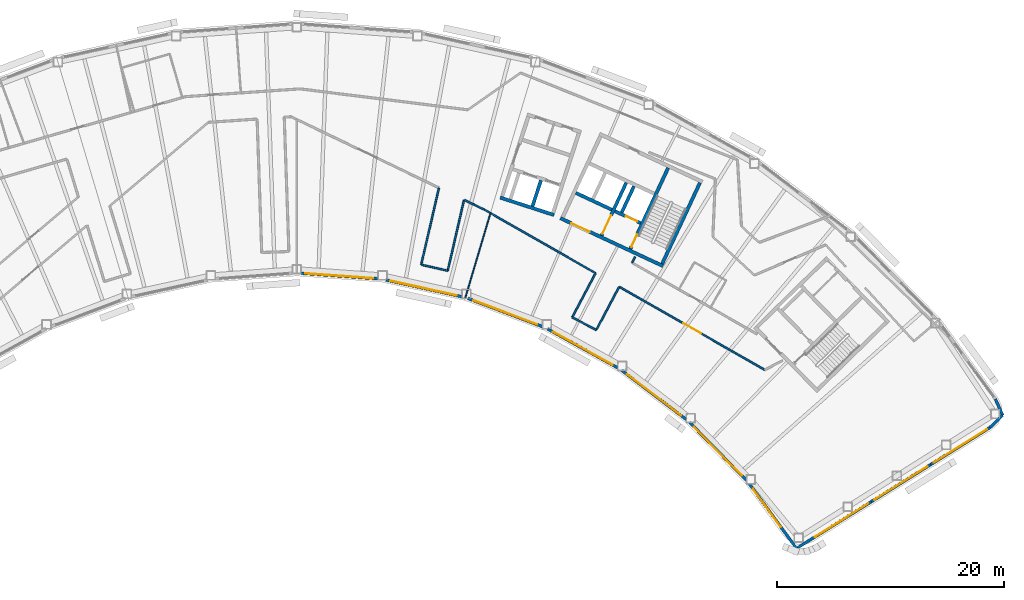
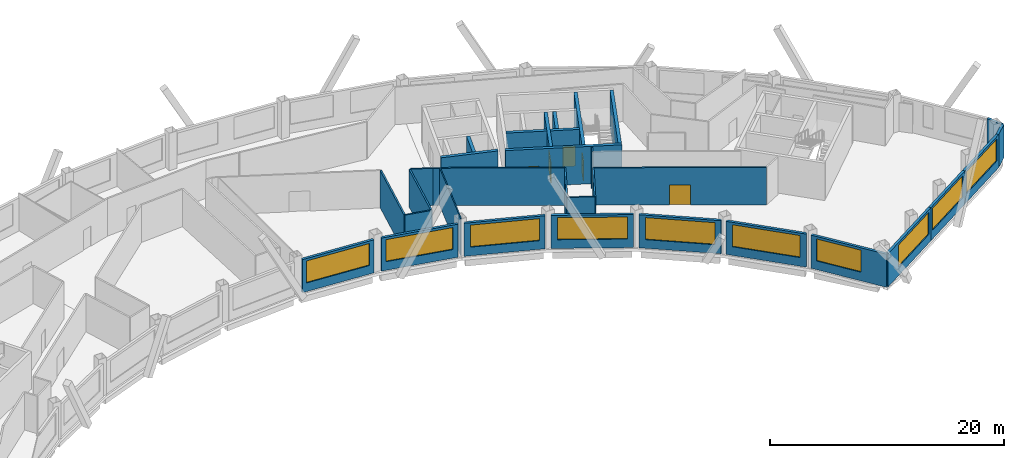
# One storey, part 7 of 12: 32 walls, 10 windows, 5 doors, 15 openings.
"""IFC4 building model written with IfcOpenShell, lengths in metres."""

import ifcopenshell
import ifcopenshell.guid

model = None  # the IFC model being written
_history = None  # IfcOwnerHistory: only IFC2X3 demands one
_inside = {}  # id of a spatial element -> (the spatial element, [elements in it])
_under = {}  # id of a project, library or spatial element -> (it, [spatial elements below it])
_declared = {}  # id of a project -> (the project, [libraries it declares])
_typed = {}  # id of a type object -> (the type object, [elements of that type])
_made_of = {}  # id of a material, layer set ... -> (it, [elements and type objects made of it])


def new_model(schema):
    """Start an empty IFC model of exactly this schema.

    Asked for "IFC4X3", IfcOpenShell would pick the latest addendum, in which some entities
    have other attributes; the version numbers below select the first issue.
    IFC2X3 requires an IfcOwnerHistory on every rooted entity: one is made here for all.
    """
    global model, _history
    if schema == "IFC4X3":
        model = ifcopenshell.file(schema_version=(4, 3, 0, 0))
    else:
        model = ifcopenshell.file(schema=schema)
    _inside.clear()
    _under.clear()
    _declared.clear()
    _typed.clear()
    _made_of.clear()
    _history = None
    if model.schema == "IFC2X3":
        org = make("IfcOrganization", Name="unknown")
        user = make(
            "IfcPersonAndOrganization",
            ThePerson=make("IfcPerson", FamilyName="unknown"),
            TheOrganization=org,
        )
        app = make(
            "IfcApplication",
            ApplicationDeveloper=org,
            Version="unknown",
            ApplicationFullName="unknown",
            ApplicationIdentifier="unknown",
        )
        _history = make(
            "IfcOwnerHistory",
            OwningUser=user,
            OwningApplication=app,
            ChangeAction="ADDED",
            CreationDate=0,
        )
    return model


def make(cls, **values):
    """One entity of the class cls with the attributes given. An attribute that is None is left unset."""
    return model.create_entity(
        cls, **{name: value for name, value in values.items() if value is not None}
    )


def rooted(cls, **values):
    """An entity with a GlobalId (a new one), such as an element, a storey or a relation."""
    return make(cls, GlobalId=ifcopenshell.guid.new(), OwnerHistory=_history, **values)


def si_unit(unit_type, name, prefix=None):
    """IfcSIUnit, for example si_unit("LENGTHUNIT", "METRE", prefix="MILLI")."""
    return make("IfcSIUnit", UnitType=unit_type, Prefix=prefix, Name=name)


def assignment(units):
    """IfcUnitAssignment: the units of a project."""
    return None if units is None else make("IfcUnitAssignment", Units=units)


def point(xyz):
    """IfcCartesianPoint."""
    return None if xyz is None else make("IfcCartesianPoint", Coordinates=xyz)


def direction(xyz):
    """IfcDirection."""
    return None if xyz is None else make("IfcDirection", DirectionRatios=xyz)


def frame(location, z_axis=None, x_axis=None):
    """IfcAxis2Placement3D, a coordinate frame: its origin and axes. An axis left out is left unset."""
    return make(
        "IfcAxis2Placement3D",
        Location=point(location),
        Axis=direction(z_axis),
        RefDirection=direction(x_axis),
    )


def frame_2d(location, x_axis=None):
    """IfcAxis2Placement2D, a coordinate frame in the plane: its origin and x axis."""
    return make(
        "IfcAxis2Placement2D", Location=point(location), RefDirection=direction(x_axis)
    )


def origin():
    """The frame at (0, 0, 0) with its axes left unset."""
    return frame((0.0, 0.0, 0.0))


def place(relative_to, where):
    """IfcLocalPlacement: puts the frame where relative to a parent placement (None: the world)."""
    return make(
        "IfcLocalPlacement", PlacementRelTo=relative_to, RelativePlacement=where
    )


def context(
    kind, dimensions, precision=None, world=None, true_north=None, identifier=None
):
    """IfcGeometricRepresentationContext, for example the 3D "Model" context."""
    return make(
        "IfcGeometricRepresentationContext",
        ContextIdentifier=identifier,
        ContextType=kind,
        CoordinateSpaceDimension=dimensions,
        Precision=precision,
        WorldCoordinateSystem=world,
        TrueNorth=true_north,
    )


def subcontext(parent, identifier, kind, view, scale=None):
    """IfcGeometricRepresentationSubContext, for example "Body" below "Model"."""
    return make(
        "IfcGeometricRepresentationSubContext",
        ContextIdentifier=identifier,
        ContextType=kind,
        ParentContext=parent,
        TargetScale=scale,
        TargetView=view,
    )


def project(units=None, contexts=None):
    """IfcProject with its units and contexts."""
    return rooted(
        "IfcProject",
        Name="project",
        RepresentationContexts=contexts,
        UnitsInContext=assignment(units),
    )


def spatial(cls, under=None, at=None, **own):
    """A site, building, storey or space (cls), placed at a placement, below another one or the project."""
    s = rooted(cls, ObjectPlacement=at, **own)
    if under is not None:
        _under.setdefault(under.id(), (under, []))[1].append(s)
    return s


def profile(cls, at=None, kind="AREA", **sizes):
    """A parametric profile (cls). Its sizes go by their IFC names, for example OverallWidth=200.0."""
    return make(cls, ProfileType=kind, Position=at, **sizes)


def rectangle(**sizes):
    """IfcRectangleProfileDef."""
    return profile("IfcRectangleProfileDef", **sizes)


def extrude(swept, where, along, depth):
    """IfcExtrudedAreaSolid: the profile swept, set in the frame where, extruded along a direction by depth."""
    return make(
        "IfcExtrudedAreaSolid",
        SweptArea=swept,
        Position=where,
        ExtrudedDirection=direction(along),
        Depth=depth,
    )


def shape(context_of_items, identifier, shape_type, items):
    """IfcShapeRepresentation: the items that make up one representation, for example the "Body"."""
    return make(
        "IfcShapeRepresentation",
        ContextOfItems=context_of_items,
        RepresentationIdentifier=identifier,
        RepresentationType=shape_type,
        Items=items,
    )


def material(Name=None, Category=None):
    """IfcMaterial."""
    return make("IfcMaterial", Name=Name, Category=Category)


def layer(
    of_material, thickness, ventilated=None, Name=None, Category=None, Priority=None
):
    """IfcMaterialLayer: one layer of a wall or slab, of a material (None: an air gap)."""
    return make(
        "IfcMaterialLayer",
        Material=of_material,
        LayerThickness=thickness,
        IsVentilated=ventilated,
        Name=Name,
        Category=Category,
        Priority=Priority,
    )


def layer_set(layers, Name=None):
    """IfcMaterialLayerSet."""
    return make("IfcMaterialLayerSet", MaterialLayers=layers, LayerSetName=Name)


def made_of(thing, what):
    """Note that an element or type object is made of a material, layer set ...; save() writes the relation."""
    if what is not None:
        _made_of.setdefault(what.id(), (what, []))[1].append(thing)
    return thing


def type_object(cls, material=None, **own):
    """A type object (cls), such as IfcWallType, which elements share."""
    return made_of(rooted(cls, **own), material)


def element(
    cls,
    number,
    at=None,
    inside=None,
    cuts=None,
    type_object=None,
    material=None,
    context=None,
    identifier="Body",
    shape_type=None,
    held_by="IfcProductDefinitionShape",
    body=None,
    shapes=None,
    **own,
):
    """One element of the class cls, such as IfcWall. Its Tag is "e" and its number.

    at: its placement. inside: the storey or other place that contains it. cuts: it is an
    opening in that element (IfcRelVoidsElement). A single representation is given by context,
    identifier, shape_type and body (its items); several are given by shapes. held_by: the class
    of the entity that holds the representations. save() writes the other relations.
    """
    e = rooted(cls, Tag="e%d" % number, ObjectPlacement=at, **own)
    if body is not None:
        shapes = [shape(context, identifier, shape_type, body)]
    if shapes is not None:
        e.Representation = make(held_by, Representations=shapes)
    if inside is not None:
        _inside.setdefault(inside.id(), (inside, []))[1].append(e)
    if cuts is not None:
        rooted(
            "IfcRelVoidsElement", RelatingBuildingElement=cuts, RelatedOpeningElement=e
        )
    if type_object is not None:
        _typed.setdefault(type_object.id(), (type_object, []))[1].append(e)
    return made_of(e, material)


def fill(opening, filler):
    """IfcRelFillsElement: the door or window that sits in an opening."""
    return rooted(
        "IfcRelFillsElement",
        RelatingOpeningElement=opening,
        RelatedBuildingElement=filler,
    )


def aggregate(whole, parts):
    """IfcRelAggregates: a whole, such as a stair, and the parts it consists of."""
    return rooted("IfcRelAggregates", RelatingObject=whole, RelatedObjects=parts)


def save(model, path):
    """Write the relations noted so far, then the file.

    IfcRelAggregates (storeys below a building ...), IfcRelContainedInSpatialStructure (elements
    in a storey), IfcRelDefinesByType, IfcRelAssociatesMaterial and IfcRelDeclares: one each for
    every whole, place, type object, material and project.
    """
    for whole, parts in _under.values():
        aggregate(whole, parts)
    for where, things in _inside.values():
        rooted(
            "IfcRelContainedInSpatialStructure",
            RelatedElements=things,
            RelatingStructure=where,
        )
    for kind, things in _typed.values():
        rooted("IfcRelDefinesByType", RelatedObjects=things, RelatingType=kind)
    for what, things in _made_of.values():
        rooted("IfcRelAssociatesMaterial", RelatedObjects=things, RelatingMaterial=what)
    for by, libraries in _declared.values():
        rooted("IfcRelDeclares", RelatingContext=by, RelatedDefinitions=libraries)
    model.write(path)


model = new_model("IFC4")

# Units and contexts
model_context = context("Model", 3, precision=1e-05, world=origin(), true_north=direction((0.0, 1.0)))
body_context = subcontext(model_context, "Body", "Model", "MODEL_VIEW")
ifc_project = project(units=[si_unit("LENGTHUNIT", "METRE"), si_unit("AREAUNIT", "SQUARE_METRE"), si_unit("VOLUMEUNIT", "CUBIC_METRE"), si_unit("PLANEANGLEUNIT", "RADIAN"), si_unit("MASSUNIT", "GRAM", prefix="KILO")], contexts=[model_context])

# Site, building, storey
site_placement = place(None, origin())
site = spatial("IfcSite", under=ifc_project, at=site_placement, CompositionType="ELEMENT")
building_placement = place(site_placement, origin())
building = spatial("IfcBuilding", under=site, at=building_placement, Name="Tuul Gate Civic Tower", CompositionType="ELEMENT")
storey_placement = place(building_placement, frame((0.0, 0.0, 336.5)))
storey = spatial("IfcBuildingStorey", under=building, at=storey_placement, Name="Level 76", CompositionType="ELEMENT", Elevation=336.5)

# Wall, opening, door
ifc_material_1 = material(Name="Concrete C50/60", Category="concrete")
ifc_layer_1 = layer(ifc_material_1, 0.300048828125)
ifc_layer_set_1 = layer_set([ifc_layer_1], Name="Concrete C50/60")
wall_type_1 = type_object("IfcWallType", Name="Core wall C50/60", PredefinedType="SHEAR", material=ifc_layer_set_1)
wall_1_placement = place(storey_placement, frame((34.5283203125, -7.25, 0.0), z_axis=(0.0, 0.0, 1.0), x_axis=(-0.906310338845, 0.422612789327, 0.0)))
wall_1 = element("IfcWall", 1, at=wall_1_placement, inside=storey, type_object=wall_type_1, Name="Core wall", PredefinedType="SHEAR", context=body_context, shape_type="SweptSolid", body=[
    extrude(rectangle(XDim=9.999755859375, YDim=0.300048828125, at=frame_2d((5.0, 0.0))), origin(), (0.0, 0.0, 1.0), 3.89990234375),
])
opening_1_placement = place(wall_1_placement, frame((7.125, 0.0, 0.0)))
opening_1 = element("IfcOpeningElement", 2, at=opening_1_placement, cuts=wall_1, Name="Opening LB-E3-LOBBY-1", PredefinedType="OPENING", context=body_context, shape_type="SweptSolid", body=[
    extrude(rectangle(XDim=1.800048828125, YDim=2.10009765625, at=frame_2d((0.89990234375, 1.050048828125))), frame((0.0, 0.16015625, 0.0), z_axis=(0.0, -1.0, 0.0), x_axis=(1.0, 0.0, 0.0)), (0.0, 0.0, 1.0), 0.320068359375),
])
ifc_material_2 = material(Name="Steel", Category="steel")
door_type_1 = type_object("IfcDoorType", Name="Lobby door", OperationType="DOUBLE_DOOR_SINGLE_SWING", PredefinedType="DOOR", material=ifc_material_2)
door_1_placement = place(opening_1_placement, frame((1.800048828125, 0.0, 0.0), z_axis=(0.0, 0.0, 1.0), x_axis=(-1.0, 0.0, 0.0)))
door_1 = element("IfcDoor", 3, at=door_1_placement, inside=storey, type_object=door_type_1, Name="Lobby door E3-LOBBY", OperationType="DOUBLE_DOOR_SINGLE_SWING", OverallHeight=2.10009765625, OverallWidth=1.800048828125, PredefinedType="DOOR", context=body_context, shape_type="SweptSolid", body=[
    extrude(rectangle(XDim=1.800048828125, YDim=2.10009765625, at=frame_2d((0.900146484375, 1.050048828125))), frame((0.0, 0.02490234375, 0.0), z_axis=(0.0, -1.0, 0.0), x_axis=(1.0, 0.0, 0.0)), (0.0, 0.0, 1.0), 0.050048828125),
])
fill(opening_1, door_1)

wall_2_placement = place(storey_placement, frame((32.545654296875, -3.456787109375, 0.0), z_axis=(0.0, 0.0, 1.0), x_axis=(-0.906300357825, 0.42263419337, 0.0)))
wall_2 = element("IfcWall", 4, at=wall_2_placement, inside=storey, type_object=wall_type_1, Name="Core wall", PredefinedType="SHEAR", context=body_context, shape_type="SweptSolid", body=[
    extrude(rectangle(XDim=2.500244140625, YDim=0.300048828125, at=frame_2d((1.25, 0.0))), origin(), (0.0, 0.0, 1.0), 3.89990234375),
])
opening_2_placement = place(wall_2_placement, frame((0.324951171875, 0.0, 0.0)))
opening_2 = element("IfcOpeningElement", 5, at=opening_2_placement, cuts=wall_2, Name="Opening LD-FF-2", PredefinedType="OPENING", context=body_context, shape_type="SweptSolid", body=[
    extrude(rectangle(XDim=1.10009765625, YDim=2.10009765625, at=frame_2d((0.550048828125, 1.050048828125))), frame((0.0, 0.16015625, 0.0), z_axis=(0.0, -1.0, 0.0), x_axis=(1.0, 0.0, 0.0)), (0.0, 0.0, 1.0), 0.320068359375),
])
ifc_material_3 = material(Name="Stainless steel", Category="steel")
door_type_2 = type_object("IfcDoorType", Name="Landing door", OperationType="DOUBLE_DOOR_SLIDING", PredefinedType="DOOR", material=ifc_material_3)
door_2_placement = place(opening_2_placement, origin())
door_2 = element("IfcDoor", 6, at=door_2_placement, inside=storey, type_object=door_type_2, Name="Fire-fighting lift FF-2 landing door", OperationType="DOUBLE_DOOR_SLIDING", OverallHeight=2.10009765625, OverallWidth=1.10009765625, PredefinedType="DOOR", context=body_context, shape_type="SweptSolid", body=[
    extrude(rectangle(XDim=1.10009765625, YDim=2.10009765625, at=frame_2d((0.550048828125, 1.050048828125))), frame((0.0, 0.02490234375, 0.0), z_axis=(0.0, -1.0, 0.0), x_axis=(1.0, 0.0, 0.0)), (0.0, 0.0, 1.0), 0.050048828125),
])
fill(opening_2, door_2)

# Walls
wall_3_placement = place(storey_placement, frame((30.0078125, -2.2734375, 0.0), z_axis=(0.0, 0.0, 1.0), x_axis=(-0.90630071767, 0.422633421716, 0.0)))
element("IfcWall", 7, at=wall_3_placement, inside=storey, type_object=wall_type_1, Name="Core wall", PredefinedType="SHEAR", context=body_context, shape_type="SweptSolid", body=[
    extrude(rectangle(XDim=3.5, YDim=0.300048828125, at=frame_2d((1.75, 0.0))), origin(), (0.0, 0.0, 1.0), 3.89990234375),
])
wall_4_placement = place(storey_placement, frame((34.455810546875, -7.05078125, 0.0), z_axis=(0.0, 0.0, 1.0), x_axis=(0.422570768258, 0.906329932096, 0.0)))
element("IfcWall", 8, at=wall_4_placement, inside=storey, type_object=wall_type_1, Name="Core wall", PredefinedType="SHEAR", context=body_context, shape_type="SweptSolid", body=[
    extrude(rectangle(XDim=7.900146484375, YDim=0.300048828125, at=frame_2d((3.9501953125, 0.0))), origin(), (0.0, 0.0, 1.0), 3.89990234375),
])

# Wall, opening, door
wall_5_placement = place(storey_placement, frame((31.646240234375, -5.740478515625, 0.0), z_axis=(0.0, 0.0, 1.0), x_axis=(0.422582604137, 0.906324413596, 0.0)))
wall_5 = element("IfcWall", 9, at=wall_5_placement, inside=storey, type_object=wall_type_1, Name="Core wall", PredefinedType="SHEAR", context=body_context, shape_type="SweptSolid", body=[
    extrude(rectangle(XDim=7.89990234375, YDim=0.300048828125, at=frame_2d((3.949951171875, 0.0))), origin(), (0.0, 0.0, 1.0), 3.89990234375),
])
opening_3_placement = place(wall_5_placement, frame((0.199951171875, 0.0, 0.0)))
opening_3 = element("IfcOpeningElement", 10, at=opening_3_placement, cuts=wall_5, Name="Opening SD-ST-4", PredefinedType="OPENING", context=body_context, shape_type="SweptSolid", body=[
    extrude(rectangle(XDim=1.199951171875, YDim=2.10009765625, at=frame_2d((0.60009765625, 1.050048828125))), frame((0.0, 0.16015625, 0.0), z_axis=(0.0, -1.0, 0.0), x_axis=(1.0, 0.0, 0.0)), (0.0, 0.0, 1.0), 0.320068359375),
])
ifc_material_4 = material(Name="Steel", Category="steel")
door_type_3 = type_object("IfcDoorType", Name="Stair door", OperationType="NOTDEFINED", PredefinedType="DOOR", material=ifc_material_4)
door_3_placement = place(opening_3_placement, origin())
door_3 = element("IfcDoor", 11, at=door_3_placement, inside=storey, type_object=door_type_3, Name="Stair door ST-4", OperationType="SINGLE_SWING_LEFT", OverallHeight=2.10009765625, OverallWidth=1.199951171875, PredefinedType="DOOR", context=body_context, shape_type="SweptSolid", body=[
    extrude(rectangle(XDim=1.199951171875, YDim=2.10009765625, at=frame_2d((0.60009765625, 1.050048828125))), frame((0.0, 0.02490234375, 0.0), z_axis=(0.0, -1.0, 0.0), x_axis=(1.0, 0.0, 0.0)), (0.0, 0.0, 1.0), 0.050048828125),
])
fill(opening_3, door_3)

# Wall
wall_6_placement = place(storey_placement, frame((30.886962890625, -2.517822265625, 0.0), z_axis=(0.0, 0.0, 1.0), x_axis=(0.422612891016, 0.906310291427, 0.0)))
element("IfcWall", 12, at=wall_6_placement, inside=storey, type_object=wall_type_1, Name="Core wall", PredefinedType="SHEAR", context=body_context, shape_type="SweptSolid", body=[
    extrude(rectangle(XDim=2.550048828125, YDim=0.300048828125, at=frame_2d((1.27490234375, 0.0))), origin(), (0.0, 0.0, 1.0), 3.89990234375),
])

# Wall, opening, door
wall_7_placement = place(storey_placement, frame((29.108642578125, -4.557373046875, 0.0), z_axis=(0.0, 0.0, 1.0), x_axis=(0.422566235356, 0.90633204552, 0.0)))
wall_7 = element("IfcWall", 13, at=wall_7_placement, inside=storey, type_object=wall_type_1, Name="Core wall", PredefinedType="SHEAR", context=body_context, shape_type="SweptSolid", body=[
    extrude(rectangle(XDim=5.150146484375, YDim=0.300048828125, at=frame_2d((2.5751953125, 0.0))), origin(), (0.0, 0.0, 1.0), 3.89990234375),
])
opening_4_placement = place(wall_7_placement, frame((0.175048828125, 0.0, 0.0)))
opening_4 = element("IfcOpeningElement", 14, at=opening_4_placement, cuts=wall_7, Name="Opening LB-E3-FLOBBY-1", PredefinedType="OPENING", context=body_context, shape_type="SweptSolid", body=[
    extrude(rectangle(XDim=1.800048828125, YDim=2.10009765625, at=frame_2d((0.89990234375, 1.050048828125))), frame((0.0, 0.16015625, 0.0), z_axis=(0.0, -1.0, 0.0), x_axis=(1.0, 0.0, 0.0)), (0.0, 0.0, 1.0), 0.320068359375),
])
door_4_placement = place(opening_4_placement, frame((1.800048828125, 0.0, 0.0), z_axis=(0.0, 0.0, 1.0), x_axis=(-1.0, 0.0, 0.0)))
door_4 = element("IfcDoor", 15, at=door_4_placement, inside=storey, type_object=door_type_1, Name="Lobby door E3-FLOBBY", OperationType="DOUBLE_DOOR_SINGLE_SWING", OverallHeight=2.10009765625, OverallWidth=1.800048828125, PredefinedType="DOOR", context=body_context, shape_type="SweptSolid", body=[
    extrude(rectangle(XDim=1.800048828125, YDim=2.10009765625, at=frame_2d((0.900146484375, 1.050048828125))), frame((0.0, 0.02490234375, 0.0), z_axis=(0.0, -1.0, 0.0), x_axis=(1.0, 0.0, 0.0)), (0.0, 0.0, 1.0), 0.050048828125),
])
fill(opening_4, door_4)

# Wall
ifc_material_5 = material(Name="Gypsum board partition")
ifc_layer_2 = layer(ifc_material_5, 0.14990234375)
ifc_layer_set_2 = layer_set([ifc_layer_2], Name="Gypsum board partition")
wall_type_2 = type_object("IfcWallType", Name="Corridor wall P150", PredefinedType="PARTITIONING", material=ifc_layer_set_2)
wall_8_placement = place(storey_placement, frame((18.767333984375, -2.275146484375, 0.0), z_axis=(0.0, 0.0, 1.0), x_axis=(0.868271101011, -0.496090007104, 0.0)))
element("IfcWall", 16, at=wall_8_placement, inside=storey, type_object=wall_type_2, Name="p036", PredefinedType="PARTITIONING", context=body_context, shape_type="SweptSolid", body=[
    extrude(rectangle(XDim=11.283935546875, YDim=0.14990234375, at=frame_2d((5.64208984375, 0.0))), origin(), (0.0, 0.0, 1.0), 3.89990234375),
])

# Wall, opening, door
wall_9_placement = place(storey_placement, frame((30.680908203125, -9.082275390625, 0.0), z_axis=(0.0, 0.0, 1.0), x_axis=(0.86827465365, -0.496083789121, 0.0)))
wall_9 = element("IfcWall", 17, at=wall_9_placement, inside=storey, type_object=wall_type_2, Name="p037", PredefinedType="PARTITIONING", context=body_context, shape_type="SweptSolid", body=[
    extrude(rectangle(XDim=14.779296875, YDim=0.14990234375, at=frame_2d((7.3896484375, 0.0))), origin(), (0.0, 0.0, 1.0), 3.89990234375),
])
opening_5_placement = place(wall_9_placement, frame((6.489501953125, 0.0, 0.0)))
opening_5 = element("IfcOpeningElement", 18, at=opening_5_placement, cuts=wall_9, Name="Opening AB-D06", PredefinedType="OPENING", context=body_context, shape_type="SweptSolid", body=[
    extrude(rectangle(XDim=1.800048828125, YDim=2.10009765625, at=frame_2d((0.89990234375, 1.050048828125))), frame((0.0, 0.0849609375, 0.0), z_axis=(0.0, -1.0, 0.0), x_axis=(1.0, 0.0, 0.0)), (0.0, 0.0, 1.0), 0.169921875),
])
ifc_material_6 = material(Name="Timber door leaf, double", Category="wood")
door_type_4 = type_object("IfcDoorType", Name="Door D18", OperationType="DOUBLE_DOOR_SINGLE_SWING", PredefinedType="DOOR", material=ifc_material_6)
door_5_placement = place(opening_5_placement, frame((1.800048828125, 0.0, 0.0), z_axis=(0.0, 0.0, 1.0), x_axis=(-1.0, 0.0, 0.0)))
door_5 = element("IfcDoor", 19, at=door_5_placement, inside=storey, type_object=door_type_4, Name="Door AB-D06", OperationType="DOUBLE_DOOR_SINGLE_SWING", OverallHeight=2.10009765625, OverallWidth=1.800048828125, PredefinedType="DOOR", context=body_context, shape_type="SweptSolid", body=[
    extrude(rectangle(XDim=1.800048828125, YDim=2.10009765625, at=frame_2d((0.900146484375, 1.050048828125))), frame((0.0, 0.02490234375, 0.0), z_axis=(0.0, -1.0, 0.0), x_axis=(1.0, 0.0, 0.0)), (0.0, 0.0, 1.0), 0.050048828125),
])
fill(opening_5, door_5)

# Walls
wall_10_placement = place(storey_placement, frame((26.513916015625, -11.77197265625, 0.0), z_axis=(0.0, 0.0, 1.0), x_axis=(0.469431997452, 0.882968628983, 0.0)))
element("IfcWall", 20, at=wall_10_placement, inside=storey, type_object=wall_type_2, Name="p038", PredefinedType="PARTITIONING", context=body_context, shape_type="SweptSolid", body=[
    extrude(rectangle(XDim=4.38525390625, YDim=0.14990234375, at=frame_2d((2.192626953125, 0.0))), origin(), (0.0, 0.0, 1.0), 3.89990234375),
])
wall_11_placement = place(storey_placement, frame((26.513916015625, -11.77197265625, 0.0), z_axis=(0.0, 0.0, 1.0), x_axis=(0.882935201215, -0.469494867336, 0.0)))
element("IfcWall", 21, at=wall_11_placement, inside=storey, type_object=wall_type_2, Name="p039", PredefinedType="PARTITIONING", context=body_context, shape_type="SweptSolid", body=[
    extrude(rectangle(XDim=2.39990234375, YDim=0.14990234375, at=frame_2d((1.199951171875, 0.0))), origin(), (0.0, 0.0, 1.0), 3.89990234375),
])
wall_12_placement = place(storey_placement, frame((28.6328125, -12.898681640625, 0.0), z_axis=(0.0, 0.0, 1.0), x_axis=(0.469497456334, 0.882933824528, 0.0)))
element("IfcWall", 22, at=wall_12_placement, inside=storey, type_object=wall_type_2, Name="p040", PredefinedType="PARTITIONING", context=body_context, shape_type="SweptSolid", body=[
    extrude(rectangle(XDim=4.311279296875, YDim=0.14990234375, at=frame_2d((2.15576171875, 0.0))), origin(), (0.0, 0.0, 1.0), 3.89990234375),
])
wall_13_placement = place(storey_placement, frame((31.793701171875, -6.953857421875, 0.0), z_axis=(0.0, 0.0, 1.0), x_axis=(0.469661180167, 0.882846745389, 0.0)))
element("IfcWall", 23, at=wall_13_placement, inside=storey, type_object=wall_type_2, Name="p041", PredefinedType="PARTITIONING", context=body_context, shape_type="SweptSolid", body=[
    extrude(rectangle(XDim=0.587890625, YDim=0.14990234375, at=frame_2d((0.2939453125, 0.0))), origin(), (0.0, 0.0, 1.0), 3.89990234375),
])
wall_14_placement = place(storey_placement, frame((16.989013671875, -1.42041015625, 0.0), z_axis=(0.0, 0.0, 1.0), x_axis=(0.901277528971, -0.433242213747, 0.0)))
element("IfcWall", 24, at=wall_14_placement, inside=storey, type_object=wall_type_2, Name="p045", PredefinedType="PARTITIONING", context=body_context, shape_type="SweptSolid", body=[
    extrude(rectangle(XDim=1.9716796875, YDim=0.14990234375, at=frame_2d((0.98583984375, 0.0))), origin(), (0.0, 0.0, 1.0), 3.89990234375),
])
wall_15_placement = place(storey_placement, frame((13.183349609375, -7.127685546875, 0.0), z_axis=(0.0, 0.0, 1.0), x_axis=(0.224946783253, 0.974371050834, 0.0)))
element("IfcWall", 25, at=wall_15_placement, inside=storey, type_object=wall_type_2, Name="p046", PredefinedType="PARTITIONING", context=body_context, shape_type="SweptSolid", body=[
    extrude(rectangle(XDim=6.946044921875, YDim=0.14990234375, at=frame_2d((3.47314453125, 0.0))), origin(), (0.0, 0.0, 1.0), 3.89990234375),
])
wall_16_placement = place(storey_placement, frame((13.18359375, -7.12841796875, 0.0), z_axis=(0.0, 0.0, 1.0), x_axis=(0.974382619436, -0.224896667254, 0.0)))
element("IfcWall", 26, at=wall_16_placement, inside=storey, type_object=wall_type_2, Name="p047", PredefinedType="PARTITIONING", context=body_context, shape_type="SweptSolid", body=[
    extrude(rectangle(XDim=2.399169921875, YDim=0.14990234375, at=frame_2d((1.19970703125, 0.0))), origin(), (0.0, 0.0, 1.0), 3.89990234375),
])
wall_17_placement = place(storey_placement, frame((15.521728515625, -7.66748046875, 0.0), z_axis=(0.0, 0.0, 1.0), x_axis=(0.224968204235, 0.974366105262, 0.0)))
element("IfcWall", 27, at=wall_17_placement, inside=storey, type_object=wall_type_2, Name="p048", PredefinedType="PARTITIONING", context=body_context, shape_type="SweptSolid", body=[
    extrude(rectangle(XDim=6.3974609375, YDim=0.14990234375, at=frame_2d((3.19873046875, 0.0))), origin(), (0.0, 0.0, 1.0), 3.89990234375),
])
ifc_material_7 = material(Name="Precast concrete C40/50", Category="concrete")
ifc_layer_3 = layer(ifc_material_7, 0.25)
ifc_layer_set_3 = layer_set([ifc_layer_3], Name="Precast concrete C40/50")
wall_type_3 = type_object("IfcWallType", Name="External wall", PredefinedType="STANDARD", material=ifc_layer_set_3)
wall_18_placement = place(storey_placement, frame((63.382568359375, -21.513671875, 0.0), z_axis=(0.0, 0.0, 1.0), x_axis=(0.722162740816, 0.691723193031, 0.0)))
element("IfcWall", 28, at=wall_18_placement, inside=storey, type_object=wall_type_3, Name="External wall", PredefinedType="STANDARD", context=body_context, shape_type="SweptSolid", body=[
    extrude(rectangle(XDim=1.572021484375, YDim=0.25, at=frame_2d((0.7861328125, 0.0))), origin(), (0.0, 0.0, 1.0), 3.449951171875),
])
wall_19_placement = place(storey_placement, frame((64.517822265625, -20.42626953125, 0.0), z_axis=(0.0, 0.0, 1.0), x_axis=(-0.413463423134, 0.910520728886, 0.0)))
element("IfcWall", 29, at=wall_19_placement, inside=storey, type_object=wall_type_3, Name="External wall", PredefinedType="STANDARD", context=body_context, shape_type="SweptSolid", body=[
    extrude(rectangle(XDim=1.5712890625, YDim=0.25, at=frame_2d((0.78564453125, 0.0))), origin(), (0.0, 0.0, 1.0), 3.449951171875),
])

# Wall, opening, window
wall_20_placement = place(storey_placement, frame((2.592041015625, -7.882568359375, 0.0), z_axis=(0.0, 0.0, 1.0), x_axis=(0.997384795983, -0.072274260578, 0.0)))
wall_20 = element("IfcWall", 30, at=wall_20_placement, inside=storey, type_object=wall_type_3, Name="External wall", PredefinedType="STANDARD", context=body_context, shape_type="SweptSolid", body=[
    extrude(rectangle(XDim=6.789794921875, YDim=0.25, at=frame_2d((3.39501953125, 0.0))), origin(), (0.0, 0.0, 1.0), 3.449951171875),
])
opening_6_placement = place(wall_20_placement, frame((0.371337890625, 0.0, 0.89990234375)))
opening_6 = element("IfcOpeningElement", 31, at=opening_6_placement, cuts=wall_20, Name="Opening W26", PredefinedType="OPENING", context=body_context, shape_type="SweptSolid", body=[
    extrude(rectangle(XDim=6.0, YDim=2.300048828125, at=frame_2d((3.0, 1.14990234375))), frame((0.0, 0.135009765625, 0.0), z_axis=(0.0, -1.0, 0.0), x_axis=(1.0, 0.0, 0.0)), (0.0, 0.0, 1.0), 0.27001953125),
])
ifc_material_8 = material(Name="Glass", Category="glass")
window_type_1 = type_object("IfcWindowType", Name="Window W26 6000 x 2300", PartitioningType="SINGLE_PANEL", PredefinedType="WINDOW", material=ifc_material_8)
window_1_placement = place(opening_6_placement, origin())
window_1 = element("IfcWindow", 32, at=window_1_placement, inside=storey, type_object=window_type_1, Name="Window", OverallHeight=2.300048828125, OverallWidth=6.0, PartitioningType="SINGLE_PANEL", PredefinedType="WINDOW", context=body_context, shape_type="SweptSolid", body=[
    extrude(rectangle(XDim=6.0, YDim=2.300048828125, at=frame_2d((3.0, 1.14990234375))), frame((0.0, 0.030029296875, 0.0), z_axis=(0.0, -1.0, 0.0), x_axis=(1.0, 0.0, 0.0)), (0.0, 0.0, 1.0), 0.06005859375),
])
fill(opening_6, window_1)

wall_21_placement = place(storey_placement, frame((10.071044921875, -8.47705078125, 0.0), z_axis=(0.0, 0.0, 1.0), x_axis=(0.976561146318, -0.215240162382, 0.0)))
wall_21 = element("IfcWall", 33, at=wall_21_placement, inside=storey, type_object=wall_type_3, Name="External wall", PredefinedType="STANDARD", context=body_context, shape_type="SweptSolid", body=[
    extrude(rectangle(XDim=6.867919921875, YDim=0.25, at=frame_2d((3.43408203125, 0.0))), origin(), (0.0, 0.0, 1.0), 3.449951171875),
])
opening_7_placement = place(wall_21_placement, frame((0.409912109375, 0.0, 0.89990234375)))
opening_7 = element("IfcOpeningElement", 34, at=opening_7_placement, cuts=wall_21, Name="Opening W26", PredefinedType="OPENING", context=body_context, shape_type="SweptSolid", body=[
    extrude(rectangle(XDim=6.0, YDim=2.300048828125, at=frame_2d((3.0, 1.14990234375))), frame((0.0, 0.135009765625, 0.0), z_axis=(0.0, -1.0, 0.0), x_axis=(1.0, 0.0, 0.0)), (0.0, 0.0, 1.0), 0.27001953125),
])
window_2_placement = place(opening_7_placement, origin())
window_2 = element("IfcWindow", 35, at=window_2_placement, inside=storey, type_object=window_type_1, Name="Window", OverallHeight=2.300048828125, OverallWidth=6.0, PartitioningType="SINGLE_PANEL", PredefinedType="WINDOW", context=body_context, shape_type="SweptSolid", body=[
    extrude(rectangle(XDim=6.0, YDim=2.300048828125, at=frame_2d((3.0, 1.14990234375))), frame((0.0, 0.030029296875, 0.0), z_axis=(0.0, -1.0, 0.0), x_axis=(1.0, 0.0, 0.0)), (0.0, 0.0, 1.0), 0.06005859375),
])
fill(opening_7, window_2)

wall_22_placement = place(storey_placement, frame((17.315185546875, -10.110107421875, 0.0), z_axis=(0.0, 0.0, 1.0), x_axis=(0.93536342071, -0.353688098751, 0.0)))
wall_22 = element("IfcWall", 36, at=wall_22_placement, inside=storey, type_object=wall_type_3, Name="External wall", PredefinedType="STANDARD", context=body_context, shape_type="SweptSolid", body=[
    extrude(rectangle(XDim=7.017333984375, YDim=0.25, at=frame_2d((3.5087890625, 0.0))), origin(), (0.0, 0.0, 1.0), 3.449951171875),
])
opening_8_placement = place(wall_22_placement, frame((0.52587890625, 0.0, 0.89990234375)))
opening_8 = element("IfcOpeningElement", 37, at=opening_8_placement, cuts=wall_22, Name="Opening W26", PredefinedType="OPENING", context=body_context, shape_type="SweptSolid", body=[
    extrude(rectangle(XDim=6.0, YDim=2.300048828125, at=frame_2d((3.0, 1.14990234375))), frame((0.0, 0.135009765625, 0.0), z_axis=(0.0, -1.0, 0.0), x_axis=(1.0, 0.0, 0.0)), (0.0, 0.0, 1.0), 0.27001953125),
])
window_3_placement = place(opening_8_placement, origin())
window_3 = element("IfcWindow", 38, at=window_3_placement, inside=storey, type_object=window_type_1, Name="Window", OverallHeight=2.300048828125, OverallWidth=6.0, PartitioningType="SINGLE_PANEL", PredefinedType="WINDOW", context=body_context, shape_type="SweptSolid", body=[
    extrude(rectangle(XDim=6.0, YDim=2.300048828125, at=frame_2d((3.0, 1.14990234375))), frame((0.0, 0.030029296875, 0.0), z_axis=(0.0, -1.0, 0.0), x_axis=(1.0, 0.0, 0.0)), (0.0, 0.0, 1.0), 0.06005859375),
])
fill(opening_8, window_3)

wall_23_placement = place(storey_placement, frame((24.33056640625, -12.7958984375, 0.0), z_axis=(0.0, 0.0, 1.0), x_axis=(0.874614232828, -0.484819496034, 0.0)))
wall_23 = element("IfcWall", 39, at=wall_23_placement, inside=storey, type_object=wall_type_3, Name="External wall", PredefinedType="STANDARD", context=body_context, shape_type="SweptSolid", body=[
    extrude(rectangle(XDim=7.07568359375, YDim=0.25, at=frame_2d((3.537841796875, 0.0))), origin(), (0.0, 0.0, 1.0), 3.449951171875),
])
opening_9_placement = place(wall_23_placement, frame((0.556396484375, 0.0, 0.89990234375)))
opening_9 = element("IfcOpeningElement", 40, at=opening_9_placement, cuts=wall_23, Name="Opening W26", PredefinedType="OPENING", context=body_context, shape_type="SweptSolid", body=[
    extrude(rectangle(XDim=6.0, YDim=2.300048828125, at=frame_2d((3.0, 1.14990234375))), frame((0.0, 0.135009765625, 0.0), z_axis=(0.0, -1.0, 0.0), x_axis=(1.0, 0.0, 0.0)), (0.0, 0.0, 1.0), 0.27001953125),
])
window_4_placement = place(opening_9_placement, origin())
window_4 = element("IfcWindow", 41, at=window_4_placement, inside=storey, type_object=window_type_1, Name="Window", OverallHeight=2.300048828125, OverallWidth=6.0, PartitioningType="SINGLE_PANEL", PredefinedType="WINDOW", context=body_context, shape_type="SweptSolid", body=[
    extrude(rectangle(XDim=6.0, YDim=2.300048828125, at=frame_2d((3.0, 1.14990234375))), frame((0.0, 0.030029296875, 0.0), z_axis=(0.0, -1.0, 0.0), x_axis=(1.0, 0.0, 0.0)), (0.0, 0.0, 1.0), 0.06005859375),
])
fill(opening_9, window_4)

wall_24_placement = place(storey_placement, frame((30.9072265625, -16.47607421875, 0.0), z_axis=(0.0, 0.0, 1.0), x_axis=(0.795582375141, -0.605845429433, 0.0)))
wall_24 = element("IfcWall", 42, at=wall_24_placement, inside=storey, type_object=wall_type_3, Name="External wall", PredefinedType="STANDARD", context=body_context, shape_type="SweptSolid", body=[
    extrude(rectangle(XDim=7.10400390625, YDim=0.25, at=frame_2d((3.552001953125, 0.0))), origin(), (0.0, 0.0, 1.0), 3.449951171875),
])
opening_10_placement = place(wall_24_placement, frame((0.562744140625, 0.0, 0.89990234375)))
opening_10 = element("IfcOpeningElement", 43, at=opening_10_placement, cuts=wall_24, Name="Opening W26", PredefinedType="OPENING", context=body_context, shape_type="SweptSolid", body=[
    extrude(rectangle(XDim=6.0, YDim=2.300048828125, at=frame_2d((3.0, 1.14990234375))), frame((0.0, 0.135009765625, 0.0), z_axis=(0.0, -1.0, 0.0), x_axis=(1.0, 0.0, 0.0)), (0.0, 0.0, 1.0), 0.27001953125),
])
window_5_placement = place(opening_10_placement, origin())
window_5 = element("IfcWindow", 44, at=window_5_placement, inside=storey, type_object=window_type_1, Name="Window", OverallHeight=2.300048828125, OverallWidth=6.0, PartitioningType="SINGLE_PANEL", PredefinedType="WINDOW", context=body_context, shape_type="SweptSolid", body=[
    extrude(rectangle(XDim=6.0, YDim=2.300048828125, at=frame_2d((3.0, 1.14990234375))), frame((0.0, 0.030029296875, 0.0), z_axis=(0.0, -1.0, 0.0), x_axis=(1.0, 0.0, 0.0)), (0.0, 0.0, 1.0), 0.06005859375),
])
fill(opening_10, window_5)

wall_25_placement = place(storey_placement, frame((36.894775390625, -21.074951171875, 0.0), z_axis=(0.0, 0.0, 1.0), x_axis=(0.700102647984, -0.714042213238, 0.0)))
wall_25 = element("IfcWall", 45, at=wall_25_placement, inside=storey, type_object=wall_type_3, Name="External wall", PredefinedType="STANDARD", context=body_context, shape_type="SweptSolid", body=[
    extrude(rectangle(XDim=7.11083984375, YDim=0.25, at=frame_2d((3.555419921875, 0.0))), origin(), (0.0, 0.0, 1.0), 3.449951171875),
])
opening_11_placement = place(wall_25_placement, frame((0.55517578125, 0.0, 0.89990234375)))
opening_11 = element("IfcOpeningElement", 46, at=opening_11_placement, cuts=wall_25, Name="Opening W26", PredefinedType="OPENING", context=body_context, shape_type="SweptSolid", body=[
    extrude(rectangle(XDim=6.0, YDim=2.300048828125, at=frame_2d((3.0, 1.14990234375))), frame((0.0, 0.135009765625, 0.0), z_axis=(0.0, -1.0, 0.0), x_axis=(1.0, 0.0, 0.0)), (0.0, 0.0, 1.0), 0.27001953125),
])
window_6_placement = place(opening_11_placement, origin())
window_6 = element("IfcWindow", 47, at=window_6_placement, inside=storey, type_object=window_type_1, Name="Window", OverallHeight=2.300048828125, OverallWidth=6.0, PartitioningType="SINGLE_PANEL", PredefinedType="WINDOW", context=body_context, shape_type="SweptSolid", body=[
    extrude(rectangle(XDim=6.0, YDim=2.300048828125, at=frame_2d((3.0, 1.14990234375))), frame((0.0, 0.030029296875, 0.0), z_axis=(0.0, -1.0, 0.0), x_axis=(1.0, 0.0, 0.0)), (0.0, 0.0, 1.0), 0.06005859375),
])
fill(opening_11, window_6)

wall_26_placement = place(storey_placement, frame((42.163330078125, -26.4970703125, 0.0), z_axis=(0.0, 0.0, 1.0), x_axis=(0.589749390831, -0.8075863149, 0.0)))
wall_26 = element("IfcWall", 48, at=wall_26_placement, inside=storey, type_object=wall_type_3, Name="External wall", PredefinedType="STANDARD", context=body_context, shape_type="SweptSolid", body=[
    extrude(rectangle(XDim=7.033935546875, YDim=0.25, at=frame_2d((3.51708984375, 0.0))), origin(), (0.0, 0.0, 1.0), 3.449951171875),
])
opening_12_placement = place(wall_26_placement, frame((0.5263671875, 0.0, 0.89990234375)))
opening_12 = element("IfcOpeningElement", 49, at=opening_12_placement, cuts=wall_26, Name="Opening W25", PredefinedType="OPENING", context=body_context, shape_type="SweptSolid", body=[
    extrude(rectangle(XDim=4.14990234375, YDim=2.300048828125, at=frame_2d((2.074951171875, 1.14990234375))), frame((0.0, 0.135009765625, 0.0), z_axis=(0.0, -1.0, 0.0), x_axis=(1.0, 0.0, 0.0)), (0.0, 0.0, 1.0), 0.27001953125),
])
ifc_material_9 = material(Name="Glass", Category="glass")
window_type_2 = type_object("IfcWindowType", Name="Window W25 4150 x 2300", PartitioningType="SINGLE_PANEL", PredefinedType="WINDOW", material=ifc_material_9)
window_7_placement = place(opening_12_placement, origin())
window_7 = element("IfcWindow", 50, at=window_7_placement, inside=storey, type_object=window_type_2, Name="Window", OverallHeight=2.300048828125, OverallWidth=4.14990234375, PartitioningType="SINGLE_PANEL", PredefinedType="WINDOW", context=body_context, shape_type="SweptSolid", body=[
    extrude(rectangle(XDim=4.14990234375, YDim=2.300048828125, at=frame_2d((2.074951171875, 1.14990234375))), frame((0.0, 0.030029296875, 0.0), z_axis=(0.0, -1.0, 0.0), x_axis=(1.0, 0.0, 0.0)), (0.0, 0.0, 1.0), 0.06005859375),
])
fill(opening_12, window_7)

wall_27_placement = place(storey_placement, frame((46.3115234375, -32.177490234375, 0.0), z_axis=(0.0, 0.0, 1.0), x_axis=(0.848061701049, 0.529897491233, 0.0)))
wall_27 = element("IfcWall", 51, at=wall_27_placement, inside=storey, type_object=wall_type_3, Name="External wall", PredefinedType="STANDARD", context=body_context, shape_type="SweptSolid", body=[
    extrude(rectangle(XDim=7.787841796875, YDim=0.25, at=frame_2d((3.89404296875, 0.0))), origin(), (0.0, 0.0, 1.0), 3.449951171875),
])
opening_13_placement = place(wall_27_placement, frame((1.92138671875, 0.0, 0.89990234375)))
opening_13 = element("IfcOpeningElement", 52, at=opening_13_placement, cuts=wall_27, Name="Opening W24", PredefinedType="OPENING", context=body_context, shape_type="SweptSolid", body=[
    extrude(rectangle(XDim=5.550048828125, YDim=2.300048828125, at=frame_2d((2.77490234375, 1.14990234375))), frame((0.0, 0.135009765625, 0.0), z_axis=(0.0, -1.0, 0.0), x_axis=(1.0, 0.0, 0.0)), (0.0, 0.0, 1.0), 0.27001953125),
])
ifc_material_10 = material(Name="Glass", Category="glass")
window_type_3 = type_object("IfcWindowType", Name="Window W24 5550 x 2300", PartitioningType="SINGLE_PANEL", PredefinedType="WINDOW", material=ifc_material_10)
window_8_placement = place(opening_13_placement, origin())
window_8 = element("IfcWindow", 53, at=window_8_placement, inside=storey, type_object=window_type_3, Name="Window", OverallHeight=2.300048828125, OverallWidth=5.550048828125, PartitioningType="SINGLE_PANEL", PredefinedType="WINDOW", context=body_context, shape_type="SweptSolid", body=[
    extrude(rectangle(XDim=5.550048828125, YDim=2.300048828125, at=frame_2d((2.77490234375, 1.14990234375))), frame((0.0, 0.030029296875, 0.0), z_axis=(0.0, -1.0, 0.0), x_axis=(1.0, 0.0, 0.0)), (0.0, 0.0, 1.0), 0.06005859375),
])
fill(opening_13, window_8)

wall_28_placement = place(storey_placement, frame((52.916015625, -28.05078125, 0.0), z_axis=(0.0, 0.0, 1.0), x_axis=(0.848053758074, 0.529910203164, 0.0)))
wall_28 = element("IfcWall", 54, at=wall_28_placement, inside=storey, type_object=wall_type_3, Name="External wall", PredefinedType="STANDARD", context=body_context, shape_type="SweptSolid", body=[
    extrude(rectangle(XDim=6.182861328125, YDim=0.25, at=frame_2d((3.09130859375, 0.0))), origin(), (0.0, 0.0, 1.0), 3.449951171875),
])
opening_14_placement = place(wall_28_placement, frame((0.31640625, 0.0, 0.89990234375)))
opening_14 = element("IfcOpeningElement", 55, at=opening_14_placement, cuts=wall_28, Name="Opening W24", PredefinedType="OPENING", context=body_context, shape_type="SweptSolid", body=[
    extrude(rectangle(XDim=5.550048828125, YDim=2.300048828125, at=frame_2d((2.77490234375, 1.14990234375))), frame((0.0, 0.135009765625, 0.0), z_axis=(0.0, -1.0, 0.0), x_axis=(1.0, 0.0, 0.0)), (0.0, 0.0, 1.0), 0.27001953125),
])
window_9_placement = place(opening_14_placement, origin())
window_9 = element("IfcWindow", 56, at=window_9_placement, inside=storey, type_object=window_type_3, Name="Window", OverallHeight=2.300048828125, OverallWidth=5.550048828125, PartitioningType="SINGLE_PANEL", PredefinedType="WINDOW", context=body_context, shape_type="SweptSolid", body=[
    extrude(rectangle(XDim=5.550048828125, YDim=2.300048828125, at=frame_2d((2.77490234375, 1.14990234375))), frame((0.0, 0.030029296875, 0.0), z_axis=(0.0, -1.0, 0.0), x_axis=(1.0, 0.0, 0.0)), (0.0, 0.0, 1.0), 0.06005859375),
])
fill(opening_14, window_9)

wall_29_placement = place(storey_placement, frame((58.159423828125, -24.7744140625, 0.0), z_axis=(0.0, 0.0, 1.0), x_axis=(0.848053758074, 0.529910203164, 0.0)))
wall_29 = element("IfcWall", 57, at=wall_29_placement, inside=storey, type_object=wall_type_3, Name="External wall", PredefinedType="STANDARD", context=body_context, shape_type="SweptSolid", body=[
    extrude(rectangle(XDim=6.182861328125, YDim=0.25, at=frame_2d((3.09130859375, 0.0))), origin(), (0.0, 0.0, 1.0), 3.449951171875),
])
opening_15_placement = place(wall_29_placement, frame((0.31640625, 0.0, 0.89990234375)))
opening_15 = element("IfcOpeningElement", 58, at=opening_15_placement, cuts=wall_29, Name="Opening W24", PredefinedType="OPENING", context=body_context, shape_type="SweptSolid", body=[
    extrude(rectangle(XDim=5.550048828125, YDim=2.300048828125, at=frame_2d((2.77490234375, 1.14990234375))), frame((0.0, 0.135009765625, 0.0), z_axis=(0.0, -1.0, 0.0), x_axis=(1.0, 0.0, 0.0)), (0.0, 0.0, 1.0), 0.27001953125),
])
window_10_placement = place(opening_15_placement, origin())
window_10 = element("IfcWindow", 59, at=window_10_placement, inside=storey, type_object=window_type_3, Name="Window", OverallHeight=2.300048828125, OverallWidth=5.550048828125, PartitioningType="SINGLE_PANEL", PredefinedType="WINDOW", context=body_context, shape_type="SweptSolid", body=[
    extrude(rectangle(XDim=5.550048828125, YDim=2.300048828125, at=frame_2d((2.77490234375, 1.14990234375))), frame((0.0, 0.030029296875, 0.0), z_axis=(0.0, -1.0, 0.0), x_axis=(1.0, 0.0, 0.0)), (0.0, 0.0, 1.0), 0.06005859375),
])
fill(opening_15, window_10)

# Walls
ifc_material_11 = material(Name="Concrete C40/50", Category="concrete")
ifc_layer_4 = layer(ifc_material_11, 0.300048828125)
ifc_layer_set_4 = layer_set([ifc_layer_4], Name="Concrete C40/50")
wall_type_4 = type_object("IfcWallType", Name="Lift shaft wall C40/50", PredefinedType="STANDARD", material=ifc_layer_set_4)
wall_30_placement = place(storey_placement, frame((24.911376953125, -2.746337890625, 0.0), z_axis=(0.0, 0.0, 1.0), x_axis=(-0.951067792613, 0.308982287281, 0.0)))
element("IfcWall", 60, at=wall_30_placement, inside=storey, type_object=wall_type_4, Name="Shaft wall", PredefinedType="STANDARD", context=body_context, shape_type="SweptSolid", body=[
    extrude(rectangle(XDim=5.0, YDim=0.300048828125, at=frame_2d((2.5, 0.0))), origin(), (0.0, 0.0, 1.0), 3.89990234375),
])
wall_31_placement = place(storey_placement, frame((23.008056640625, -1.97021484375, 0.0), z_axis=(0.0, 0.0, 1.0), x_axis=(0.309138975195, 0.951016873675, 0.0)))
element("IfcWall", 61, at=wall_31_placement, inside=storey, type_object=wall_type_4, Name="Shaft wall", PredefinedType="STANDARD", context=body_context, shape_type="SweptSolid", body=[
    extrude(rectangle(XDim=2.400146484375, YDim=0.300048828125, at=frame_2d((1.2001953125, 0.0))), origin(), (0.0, 0.0, 1.0), 3.89990234375),
])
ifc_material_12 = material(Name="Gypsum board partition")
ifc_layer_5 = layer(ifc_material_12, 0.10009765625)
ifc_layer_set_5 = layer_set([ifc_layer_5], Name="Gypsum board partition")
wall_type_5 = type_object("IfcWallType", Name="Partition P100", PredefinedType="PARTITIONING", material=ifc_layer_set_5)
wall_32_placement = place(storey_placement, frame((17.083251953125, -10.027587890625, 0.0), z_axis=(0.0, 0.0, 1.0), x_axis=(0.28523160592, 0.958458622469, 0.0)))
element("IfcWall", 62, at=wall_32_placement, inside=storey, type_object=wall_type_5, Name="p033", PredefinedType="PARTITIONING", context=body_context, shape_type="SweptSolid", body=[
    extrude(rectangle(XDim=7.77099609375, YDim=0.10009765625, at=frame_2d((3.885498046875, 0.0))), origin(), (0.0, 0.0, 1.0), 3.89990234375),
])

save(model, "model.ifc")
